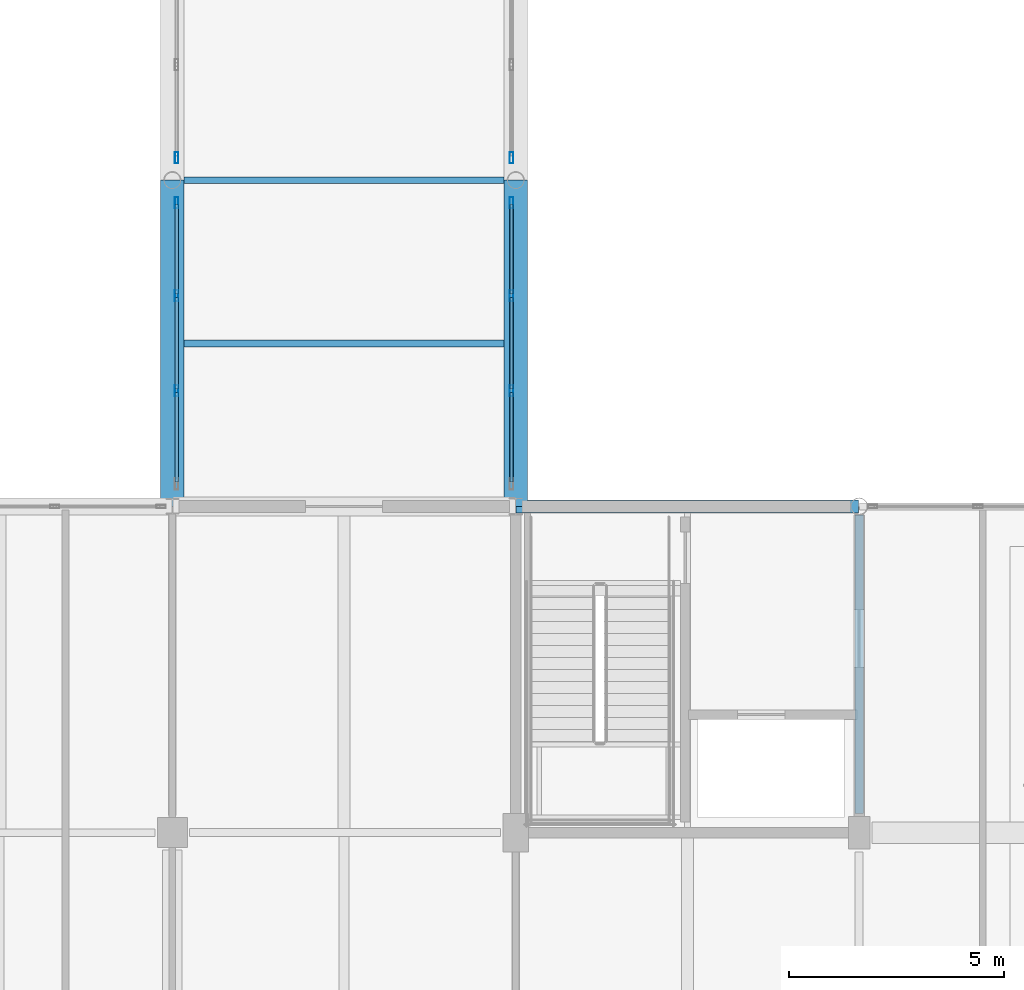
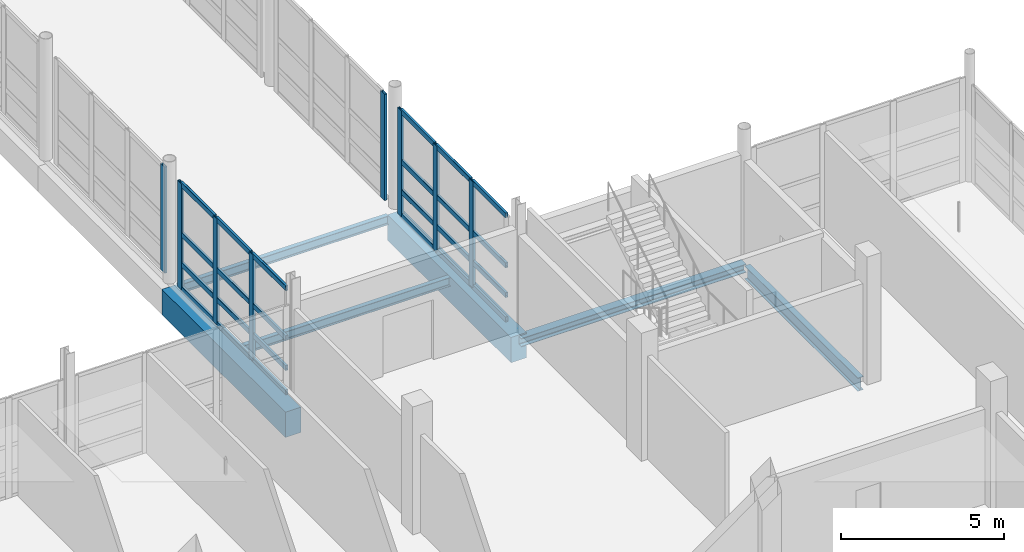
# One storey, part 57 of 141: 32 members, 6 beams, 4 elements without a shape of their own.
"""IFC4 building model written with IfcOpenShell, lengths in metres."""

from ifc_helpers import new_model, si_unit, direction, frame, origin, origin_2d, place, context, subcontext, project, spatial, rectangle, hollow_rectangle, i_section, extrude, material, material_profile, profile_set, type_object, element, aggregate, save


model = new_model("IFC4")

# Units and contexts
model_context = context("Model", 3, precision=1e-05, world=origin(), true_north=direction((0.0, 1.0)))
body_context = subcontext(model_context, "Body", "Model", "MODEL_VIEW")
ifc_project = project(units=[si_unit("LENGTHUNIT", "METRE"), si_unit("AREAUNIT", "SQUARE_METRE"), si_unit("VOLUMEUNIT", "CUBIC_METRE"), si_unit("PLANEANGLEUNIT", "RADIAN"), si_unit("MASSUNIT", "GRAM", prefix="KILO")], contexts=[model_context])

# Site, building, storey
site_placement = place(None, origin())
site = spatial("IfcSite", under=ifc_project, at=site_placement, CompositionType="ELEMENT")
building_placement = place(site_placement, origin())
building = spatial("IfcBuilding", under=site, at=building_placement, Name="Khelvaren Railside Concert Hall", CompositionType="ELEMENT")
storey_placement = place(building_placement, frame((0.0, 0.0, 10.199951171875)))
storey = spatial("IfcBuildingStorey", under=building, at=storey_placement, Name="L02", CompositionType="ELEMENT", Elevation=10.199951171875)

# Beam
ifc_material_1 = material(Name="Steel S355", Category="steel")
ifc_material_profile_1 = material_profile(ifc_material_1, i_section(OverallWidth=0.199951171875, OverallDepth=0.5, WebThickness=0.01025390625, FlangeThickness=0.01611328125, FilletRadius=0.02099609375, at=origin_2d()), Name="IPE 500")
ifc_profile_set_1 = profile_set([ifc_material_profile_1], Name="Steel S355")
beam_type_1 = type_object("IfcBeamType", Name="BM62", PredefinedType="BEAM", material=ifc_profile_set_1)
beam_1_placement = place(storey_placement, frame((176.0, 30.85009765625, -0.5400390625), z_axis=(0.0, 1.0, 0.0), x_axis=(-1.0, 0.0, 0.0)))
element("IfcBeam", 1, at=beam_1_placement, inside=storey, type_object=beam_type_1, Name="V2 L02 Beam Y5.5", PredefinedType="BEAM", context=body_context, shape_type="SweptSolid", body=[
    extrude(i_section(OverallWidth=0.199951171875, OverallDepth=0.5, WebThickness=0.01025390625, FlangeThickness=0.01611328125, FilletRadius=0.02099609375, at=origin_2d()), origin(), (0.0, 0.0, 1.0), 6.954833984375),
])

# Curtain wall, members
ifc_material_2 = material(Name="Acoustic laminated crystal facade glass", Category="glass")
curtain_wall_type = type_object("IfcCurtainWallType", Name="CW78", PredefinedType="USERDEFINED", material=ifc_material_2)
curtain_wall_1_placement = place(storey_placement, origin())
curtain_wall_1 = element("IfcCurtainWall", 2, at=curtain_wall_1_placement, inside=storey, type_object=curtain_wall_type, Name="Unitised Curtain Wall CW-LB4-L02-W1", ObjectType="UNITISED CURTAIN WALL", PredefinedType="USERDEFINED")
ifc_material_3 = material(Name="Anodised architectural aluminium 6063-T6", Category="aluminium")
ifc_material_profile_2 = material_profile(ifc_material_3, hollow_rectangle(XDim=0.0849609375, YDim=0.260009765625, WallThickness=0.0048828125, InnerFilletRadius=0.0029296875, OuterFilletRadius=0.0048828125, at=origin_2d()), Name="CWM 85x260x5")
ifc_profile_set_2 = profile_set([ifc_material_profile_2], Name="Anodised architectural aluminium 6063-T6")
member_type_1 = type_object("IfcMemberType", Name="CWM40", PredefinedType="MULLION", material=ifc_profile_set_2)
member_1_placement = place(storey_placement, frame((160.10009765625, 40.693359375, 0.0), z_axis=(0.0, 0.0, 1.0), x_axis=(-1.0, 0.0, 0.0)))
member_1 = element("IfcMember", 3, at=member_1_placement, type_object=member_type_1, Name="CW78 mullion 2", PredefinedType="MULLION", context=body_context, shape_type="SweptSolid", body=[
    extrude(hollow_rectangle(XDim=0.0849609375, YDim=0.260009765625, WallThickness=0.0048828125, InnerFilletRadius=0.0029296875, OuterFilletRadius=0.0048828125, at=origin_2d()), origin(), (0.0, 0.0, 1.0), 3.97998046875),
])
member_2_placement = place(storey_placement, frame((160.10009765625, 42.90673828125, 0.0), z_axis=(0.0, 0.0, 1.0), x_axis=(-1.0, 0.0, 0.0)))
member_2 = element("IfcMember", 4, at=member_2_placement, type_object=member_type_1, Name="CW78 mullion 3", PredefinedType="MULLION", context=body_context, shape_type="SweptSolid", body=[
    extrude(hollow_rectangle(XDim=0.0849609375, YDim=0.260009765625, WallThickness=0.0048828125, InnerFilletRadius=0.0029296875, OuterFilletRadius=0.0048828125, at=origin_2d()), origin(), (0.0, 0.0, 1.0), 3.97998046875),
])
member_3_placement = place(storey_placement, frame((160.10009765625, 45.077392578125, 0.0), z_axis=(0.0, 0.0, 1.0), x_axis=(-1.0, 0.0, 0.0)))
member_3 = element("IfcMember", 5, at=member_3_placement, type_object=member_type_1, Name="CW78 mullion 4", PredefinedType="MULLION", context=body_context, shape_type="SweptSolid", body=[
    extrude(hollow_rectangle(XDim=0.0849609375, YDim=0.260009765625, WallThickness=0.0048828125, InnerFilletRadius=0.0029296875, OuterFilletRadius=0.0048828125, at=origin_2d()), origin(), (0.0, 0.0, 1.0), 3.97998046875),
])

curtain_wall_2_placement = place(storey_placement, origin())
curtain_wall_2 = element("IfcCurtainWall", 6, at=curtain_wall_2_placement, inside=storey, type_object=curtain_wall_type, Name="Unitised Curtain Wall CW-LB4-L02-E1", ObjectType="UNITISED CURTAIN WALL", PredefinedType="USERDEFINED")
member_4_placement = place(storey_placement, frame((167.89990234375, 45.077392578125, 0.0), z_axis=(0.0, 0.0, 1.0), x_axis=(1.0, 0.0, 0.0)))
member_4 = element("IfcMember", 7, at=member_4_placement, type_object=member_type_1, Name="CW78 mullion 1", PredefinedType="MULLION", context=body_context, shape_type="SweptSolid", body=[
    extrude(hollow_rectangle(XDim=0.0849609375, YDim=0.260009765625, WallThickness=0.0048828125, InnerFilletRadius=0.0029296875, OuterFilletRadius=0.0048828125, at=origin_2d()), origin(), (0.0, 0.0, 1.0), 3.97998046875),
])
member_5_placement = place(storey_placement, frame((167.89990234375, 42.90673828125, 0.0), z_axis=(0.0, 0.0, 1.0), x_axis=(1.0, 0.0, 0.0)))
member_5 = element("IfcMember", 8, at=member_5_placement, type_object=member_type_1, Name="CW78 mullion 2", PredefinedType="MULLION", context=body_context, shape_type="SweptSolid", body=[
    extrude(hollow_rectangle(XDim=0.0849609375, YDim=0.260009765625, WallThickness=0.0048828125, InnerFilletRadius=0.0029296875, OuterFilletRadius=0.0048828125, at=origin_2d()), origin(), (0.0, 0.0, 1.0), 3.97998046875),
])
member_6_placement = place(storey_placement, frame((167.89990234375, 40.693359375, 0.0), z_axis=(0.0, 0.0, 1.0), x_axis=(1.0, 0.0, 0.0)))
member_6 = element("IfcMember", 9, at=member_6_placement, type_object=member_type_1, Name="CW78 mullion 3", PredefinedType="MULLION", context=body_context, shape_type="SweptSolid", body=[
    extrude(hollow_rectangle(XDim=0.0849609375, YDim=0.260009765625, WallThickness=0.0048828125, InnerFilletRadius=0.0029296875, OuterFilletRadius=0.0048828125, at=origin_2d()), origin(), (0.0, 0.0, 1.0), 3.97998046875),
])

# Curtain wall, member
curtain_wall_3_placement = place(storey_placement, origin())
curtain_wall_3 = element("IfcCurtainWall", 10, at=curtain_wall_3_placement, inside=storey, type_object=curtain_wall_type, Name="Unitised Curtain Wall CW-LB4-L02-W2", ObjectType="UNITISED CURTAIN WALL", PredefinedType="USERDEFINED")
member_7_placement = place(storey_placement, frame((160.10009765625, 46.12255859375, 0.0), z_axis=(0.0, 0.0, 1.0), x_axis=(-1.0, 0.0, 0.0)))
member_7 = element("IfcMember", 11, at=member_7_placement, type_object=member_type_1, Name="CW78 mullion 1", PredefinedType="MULLION", context=body_context, shape_type="SweptSolid", body=[
    extrude(hollow_rectangle(XDim=0.0849609375, YDim=0.260009765625, WallThickness=0.0048828125, InnerFilletRadius=0.0029296875, OuterFilletRadius=0.0048828125, at=origin_2d()), origin(), (0.0, 0.0, 1.0), 3.97998046875),
])
aggregate(curtain_wall_3, [member_7])

curtain_wall_4_placement = place(storey_placement, origin())
curtain_wall_4 = element("IfcCurtainWall", 12, at=curtain_wall_4_placement, inside=storey, type_object=curtain_wall_type, Name="Unitised Curtain Wall CW-LB4-L02-E2", ObjectType="UNITISED CURTAIN WALL", PredefinedType="USERDEFINED")
member_8_placement = place(storey_placement, frame((167.89990234375, 46.12255859375, 0.0), z_axis=(0.0, 0.0, 1.0), x_axis=(1.0, 0.0, 0.0)))
member_8 = element("IfcMember", 13, at=member_8_placement, type_object=member_type_1, Name="CW78 mullion 4", PredefinedType="MULLION", context=body_context, shape_type="SweptSolid", body=[
    extrude(hollow_rectangle(XDim=0.0849609375, YDim=0.260009765625, WallThickness=0.0048828125, InnerFilletRadius=0.0029296875, OuterFilletRadius=0.0048828125, at=origin_2d()), origin(), (0.0, 0.0, 1.0), 3.97998046875),
])
aggregate(curtain_wall_4, [member_8])

# Member
ifc_material_profile_3 = material_profile(ifc_material_3, hollow_rectangle(XDim=0.0849609375, YDim=0.18994140625, WallThickness=0.0048828125, InnerFilletRadius=0.0029296875, OuterFilletRadius=0.0048828125, at=origin_2d()), Name="CWT 85x190x5")
ifc_profile_set_3 = profile_set([ifc_material_profile_3], Name="Anodised architectural aluminium 6063-T6")
member_type_2 = type_object("IfcMemberType", Name="CWT31", PredefinedType="USERDEFINED", material=ifc_profile_set_3)
member_9_placement = place(storey_placement, frame((160.10009765625, 38.56494140625, 0.04248046875), z_axis=(0.0, 1.0, 0.0), x_axis=(-1.0, 0.0, 0.0)))
member_9 = element("IfcMember", 14, at=member_9_placement, type_object=member_type_2, Name="CW78 transom 1.1", ObjectType="TRANSOM", PredefinedType="USERDEFINED", context=body_context, shape_type="SweptSolid", body=[
    extrude(hollow_rectangle(XDim=0.0849609375, YDim=0.18994140625, WallThickness=0.0048828125, InnerFilletRadius=0.0029296875, OuterFilletRadius=0.0048828125, at=origin_2d()), origin(), (0.0, 0.0, 1.0), 2.0859375),
])

member_10_placement = place(storey_placement, frame((160.10009765625, 38.56494140625, 0.949951171875), z_axis=(0.0, 1.0, 0.0), x_axis=(-1.0, 0.0, 0.0)))
member_10 = element("IfcMember", 15, at=member_10_placement, type_object=member_type_2, Name="CW78 transom 1.2", ObjectType="TRANSOM", PredefinedType="USERDEFINED", context=body_context, shape_type="SweptSolid", body=[
    extrude(hollow_rectangle(XDim=0.0849609375, YDim=0.18994140625, WallThickness=0.0048828125, InnerFilletRadius=0.0029296875, OuterFilletRadius=0.0048828125, at=origin_2d()), origin(), (0.0, 0.0, 1.0), 2.0859375),
])

member_11_placement = place(storey_placement, frame((160.10009765625, 38.56494140625, 2.069580078125), z_axis=(0.0, 1.0, 0.0), x_axis=(-1.0, 0.0, 0.0)))
member_11 = element("IfcMember", 16, at=member_11_placement, type_object=member_type_2, Name="CW78 transom 1.3", ObjectType="TRANSOM", PredefinedType="USERDEFINED", context=body_context, shape_type="SweptSolid", body=[
    extrude(hollow_rectangle(XDim=0.0849609375, YDim=0.18994140625, WallThickness=0.0048828125, InnerFilletRadius=0.0029296875, OuterFilletRadius=0.0048828125, at=origin_2d()), origin(), (0.0, 0.0, 1.0), 2.0859375),
])

member_12_placement = place(storey_placement, frame((160.10009765625, 38.56494140625, 3.9375), z_axis=(0.0, 1.0, 0.0), x_axis=(-1.0, 0.0, 0.0)))
member_12 = element("IfcMember", 17, at=member_12_placement, type_object=member_type_2, Name="CW78 transom 1.4", ObjectType="TRANSOM", PredefinedType="USERDEFINED", context=body_context, shape_type="SweptSolid", body=[
    extrude(hollow_rectangle(XDim=0.0849609375, YDim=0.18994140625, WallThickness=0.0048828125, InnerFilletRadius=0.0029296875, OuterFilletRadius=0.0048828125, at=origin_2d()), origin(), (0.0, 0.0, 1.0), 2.0859375),
])

member_13_placement = place(storey_placement, frame((160.10009765625, 40.73583984375, 0.04248046875), z_axis=(0.0, 1.0, 0.0), x_axis=(-1.0, 0.0, 0.0)))
member_13 = element("IfcMember", 18, at=member_13_placement, type_object=member_type_2, Name="CW78 transom 2.1", ObjectType="TRANSOM", PredefinedType="USERDEFINED", context=body_context, shape_type="SweptSolid", body=[
    extrude(hollow_rectangle(XDim=0.0849609375, YDim=0.18994140625, WallThickness=0.0048828125, InnerFilletRadius=0.0029296875, OuterFilletRadius=0.0048828125, at=origin_2d()), origin(), (0.0, 0.0, 1.0), 2.12841796875),
])

member_14_placement = place(storey_placement, frame((160.10009765625, 40.73583984375, 0.949951171875), z_axis=(0.0, 1.0, 0.0), x_axis=(-1.0, 0.0, 0.0)))
member_14 = element("IfcMember", 19, at=member_14_placement, type_object=member_type_2, Name="CW78 transom 2.2", ObjectType="TRANSOM", PredefinedType="USERDEFINED", context=body_context, shape_type="SweptSolid", body=[
    extrude(hollow_rectangle(XDim=0.0849609375, YDim=0.18994140625, WallThickness=0.0048828125, InnerFilletRadius=0.0029296875, OuterFilletRadius=0.0048828125, at=origin_2d()), origin(), (0.0, 0.0, 1.0), 2.12841796875),
])

member_15_placement = place(storey_placement, frame((160.10009765625, 40.73583984375, 2.069580078125), z_axis=(0.0, 1.0, 0.0), x_axis=(-1.0, 0.0, 0.0)))
member_15 = element("IfcMember", 20, at=member_15_placement, type_object=member_type_2, Name="CW78 transom 2.3", ObjectType="TRANSOM", PredefinedType="USERDEFINED", context=body_context, shape_type="SweptSolid", body=[
    extrude(hollow_rectangle(XDim=0.0849609375, YDim=0.18994140625, WallThickness=0.0048828125, InnerFilletRadius=0.0029296875, OuterFilletRadius=0.0048828125, at=origin_2d()), origin(), (0.0, 0.0, 1.0), 2.12841796875),
])

member_16_placement = place(storey_placement, frame((160.10009765625, 40.73583984375, 3.9375), z_axis=(0.0, 1.0, 0.0), x_axis=(-1.0, 0.0, 0.0)))
member_16 = element("IfcMember", 21, at=member_16_placement, type_object=member_type_2, Name="CW78 transom 2.4", ObjectType="TRANSOM", PredefinedType="USERDEFINED", context=body_context, shape_type="SweptSolid", body=[
    extrude(hollow_rectangle(XDim=0.0849609375, YDim=0.18994140625, WallThickness=0.0048828125, InnerFilletRadius=0.0029296875, OuterFilletRadius=0.0048828125, at=origin_2d()), origin(), (0.0, 0.0, 1.0), 2.12841796875),
])

member_17_placement = place(storey_placement, frame((160.10009765625, 42.94921875, 0.04248046875), z_axis=(0.0, 1.0, 0.0), x_axis=(-1.0, 0.0, 0.0)))
member_17 = element("IfcMember", 22, at=member_17_placement, type_object=member_type_2, Name="CW78 transom 3.1", ObjectType="TRANSOM", PredefinedType="USERDEFINED", context=body_context, shape_type="SweptSolid", body=[
    extrude(hollow_rectangle(XDim=0.0849609375, YDim=0.18994140625, WallThickness=0.0048828125, InnerFilletRadius=0.0029296875, OuterFilletRadius=0.0048828125, at=origin_2d()), origin(), (0.0, 0.0, 1.0), 2.085693359375),
])

member_18_placement = place(storey_placement, frame((160.10009765625, 42.94921875, 0.949951171875), z_axis=(0.0, 1.0, 0.0), x_axis=(-1.0, 0.0, 0.0)))
member_18 = element("IfcMember", 23, at=member_18_placement, type_object=member_type_2, Name="CW78 transom 3.2", ObjectType="TRANSOM", PredefinedType="USERDEFINED", context=body_context, shape_type="SweptSolid", body=[
    extrude(hollow_rectangle(XDim=0.0849609375, YDim=0.18994140625, WallThickness=0.0048828125, InnerFilletRadius=0.0029296875, OuterFilletRadius=0.0048828125, at=origin_2d()), origin(), (0.0, 0.0, 1.0), 2.085693359375),
])

member_19_placement = place(storey_placement, frame((160.10009765625, 42.94921875, 2.069580078125), z_axis=(0.0, 1.0, 0.0), x_axis=(-1.0, 0.0, 0.0)))
member_19 = element("IfcMember", 24, at=member_19_placement, type_object=member_type_2, Name="CW78 transom 3.3", ObjectType="TRANSOM", PredefinedType="USERDEFINED", context=body_context, shape_type="SweptSolid", body=[
    extrude(hollow_rectangle(XDim=0.0849609375, YDim=0.18994140625, WallThickness=0.0048828125, InnerFilletRadius=0.0029296875, OuterFilletRadius=0.0048828125, at=origin_2d()), origin(), (0.0, 0.0, 1.0), 2.085693359375),
])

member_20_placement = place(storey_placement, frame((160.10009765625, 42.94921875, 3.9375), z_axis=(0.0, 1.0, 0.0), x_axis=(-1.0, 0.0, 0.0)))
member_20 = element("IfcMember", 25, at=member_20_placement, type_object=member_type_2, Name="CW78 transom 3.4", ObjectType="TRANSOM", PredefinedType="USERDEFINED", context=body_context, shape_type="SweptSolid", body=[
    extrude(hollow_rectangle(XDim=0.0849609375, YDim=0.18994140625, WallThickness=0.0048828125, InnerFilletRadius=0.0029296875, OuterFilletRadius=0.0048828125, at=origin_2d()), origin(), (0.0, 0.0, 1.0), 2.085693359375),
])

aggregate(curtain_wall_1, [member_1, member_2, member_3, member_9, member_10, member_11, member_12, member_13, member_14, member_15, member_16, member_17, member_18, member_19, member_20])

member_21_placement = place(storey_placement, frame((167.89990234375, 45.034912109375, 0.04248046875), z_axis=(0.0, -1.0, 0.0), x_axis=(1.0, 0.0, 0.0)))
member_21 = element("IfcMember", 26, at=member_21_placement, type_object=member_type_2, Name="CW78 transom 1.1", ObjectType="TRANSOM", PredefinedType="USERDEFINED", context=body_context, shape_type="SweptSolid", body=[
    extrude(hollow_rectangle(XDim=0.0849609375, YDim=0.18994140625, WallThickness=0.0048828125, InnerFilletRadius=0.0029296875, OuterFilletRadius=0.0048828125, at=origin_2d()), origin(), (0.0, 0.0, 1.0), 2.085693359375),
])

member_22_placement = place(storey_placement, frame((167.89990234375, 45.034912109375, 0.949951171875), z_axis=(0.0, -1.0, 0.0), x_axis=(1.0, 0.0, 0.0)))
member_22 = element("IfcMember", 27, at=member_22_placement, type_object=member_type_2, Name="CW78 transom 1.2", ObjectType="TRANSOM", PredefinedType="USERDEFINED", context=body_context, shape_type="SweptSolid", body=[
    extrude(hollow_rectangle(XDim=0.0849609375, YDim=0.18994140625, WallThickness=0.0048828125, InnerFilletRadius=0.0029296875, OuterFilletRadius=0.0048828125, at=origin_2d()), origin(), (0.0, 0.0, 1.0), 2.085693359375),
])

member_23_placement = place(storey_placement, frame((167.89990234375, 45.034912109375, 2.069580078125), z_axis=(0.0, -1.0, 0.0), x_axis=(1.0, 0.0, 0.0)))
member_23 = element("IfcMember", 28, at=member_23_placement, type_object=member_type_2, Name="CW78 transom 1.3", ObjectType="TRANSOM", PredefinedType="USERDEFINED", context=body_context, shape_type="SweptSolid", body=[
    extrude(hollow_rectangle(XDim=0.0849609375, YDim=0.18994140625, WallThickness=0.0048828125, InnerFilletRadius=0.0029296875, OuterFilletRadius=0.0048828125, at=origin_2d()), origin(), (0.0, 0.0, 1.0), 2.085693359375),
])

member_24_placement = place(storey_placement, frame((167.89990234375, 45.034912109375, 3.9375), z_axis=(0.0, -1.0, 0.0), x_axis=(1.0, 0.0, 0.0)))
member_24 = element("IfcMember", 29, at=member_24_placement, type_object=member_type_2, Name="CW78 transom 1.4", ObjectType="TRANSOM", PredefinedType="USERDEFINED", context=body_context, shape_type="SweptSolid", body=[
    extrude(hollow_rectangle(XDim=0.0849609375, YDim=0.18994140625, WallThickness=0.0048828125, InnerFilletRadius=0.0029296875, OuterFilletRadius=0.0048828125, at=origin_2d()), origin(), (0.0, 0.0, 1.0), 2.085693359375),
])

member_25_placement = place(storey_placement, frame((167.89990234375, 42.8642578125, 0.04248046875), z_axis=(0.0, -1.0, 0.0), x_axis=(1.0, 0.0, 0.0)))
member_25 = element("IfcMember", 30, at=member_25_placement, type_object=member_type_2, Name="CW78 transom 2.1", ObjectType="TRANSOM", PredefinedType="USERDEFINED", context=body_context, shape_type="SweptSolid", body=[
    extrude(hollow_rectangle(XDim=0.0849609375, YDim=0.18994140625, WallThickness=0.0048828125, InnerFilletRadius=0.0029296875, OuterFilletRadius=0.0048828125, at=origin_2d()), origin(), (0.0, 0.0, 1.0), 2.12841796875),
])

member_26_placement = place(storey_placement, frame((167.89990234375, 42.8642578125, 0.949951171875), z_axis=(0.0, -1.0, 0.0), x_axis=(1.0, 0.0, 0.0)))
member_26 = element("IfcMember", 31, at=member_26_placement, type_object=member_type_2, Name="CW78 transom 2.2", ObjectType="TRANSOM", PredefinedType="USERDEFINED", context=body_context, shape_type="SweptSolid", body=[
    extrude(hollow_rectangle(XDim=0.0849609375, YDim=0.18994140625, WallThickness=0.0048828125, InnerFilletRadius=0.0029296875, OuterFilletRadius=0.0048828125, at=origin_2d()), origin(), (0.0, 0.0, 1.0), 2.12841796875),
])

member_27_placement = place(storey_placement, frame((167.89990234375, 42.8642578125, 2.069580078125), z_axis=(0.0, -1.0, 0.0), x_axis=(1.0, 0.0, 0.0)))
member_27 = element("IfcMember", 32, at=member_27_placement, type_object=member_type_2, Name="CW78 transom 2.3", ObjectType="TRANSOM", PredefinedType="USERDEFINED", context=body_context, shape_type="SweptSolid", body=[
    extrude(hollow_rectangle(XDim=0.0849609375, YDim=0.18994140625, WallThickness=0.0048828125, InnerFilletRadius=0.0029296875, OuterFilletRadius=0.0048828125, at=origin_2d()), origin(), (0.0, 0.0, 1.0), 2.12841796875),
])

member_28_placement = place(storey_placement, frame((167.89990234375, 42.8642578125, 3.9375), z_axis=(0.0, -1.0, 0.0), x_axis=(1.0, 0.0, 0.0)))
member_28 = element("IfcMember", 33, at=member_28_placement, type_object=member_type_2, Name="CW78 transom 2.4", ObjectType="TRANSOM", PredefinedType="USERDEFINED", context=body_context, shape_type="SweptSolid", body=[
    extrude(hollow_rectangle(XDim=0.0849609375, YDim=0.18994140625, WallThickness=0.0048828125, InnerFilletRadius=0.0029296875, OuterFilletRadius=0.0048828125, at=origin_2d()), origin(), (0.0, 0.0, 1.0), 2.12841796875),
])

member_29_placement = place(storey_placement, frame((167.89990234375, 40.65087890625, 0.04248046875), z_axis=(0.0, -1.0, 0.0), x_axis=(1.0, 0.0, 0.0)))
member_29 = element("IfcMember", 34, at=member_29_placement, type_object=member_type_2, Name="CW78 transom 3.1", ObjectType="TRANSOM", PredefinedType="USERDEFINED", context=body_context, shape_type="SweptSolid", body=[
    extrude(hollow_rectangle(XDim=0.0849609375, YDim=0.18994140625, WallThickness=0.0048828125, InnerFilletRadius=0.0029296875, OuterFilletRadius=0.0048828125, at=origin_2d()), origin(), (0.0, 0.0, 1.0), 2.0859375),
])

member_30_placement = place(storey_placement, frame((167.89990234375, 40.65087890625, 0.949951171875), z_axis=(0.0, -1.0, 0.0), x_axis=(1.0, 0.0, 0.0)))
member_30 = element("IfcMember", 35, at=member_30_placement, type_object=member_type_2, Name="CW78 transom 3.2", ObjectType="TRANSOM", PredefinedType="USERDEFINED", context=body_context, shape_type="SweptSolid", body=[
    extrude(hollow_rectangle(XDim=0.0849609375, YDim=0.18994140625, WallThickness=0.0048828125, InnerFilletRadius=0.0029296875, OuterFilletRadius=0.0048828125, at=origin_2d()), origin(), (0.0, 0.0, 1.0), 2.0859375),
])

member_31_placement = place(storey_placement, frame((167.89990234375, 40.65087890625, 2.069580078125), z_axis=(0.0, -1.0, 0.0), x_axis=(1.0, 0.0, 0.0)))
member_31 = element("IfcMember", 36, at=member_31_placement, type_object=member_type_2, Name="CW78 transom 3.3", ObjectType="TRANSOM", PredefinedType="USERDEFINED", context=body_context, shape_type="SweptSolid", body=[
    extrude(hollow_rectangle(XDim=0.0849609375, YDim=0.18994140625, WallThickness=0.0048828125, InnerFilletRadius=0.0029296875, OuterFilletRadius=0.0048828125, at=origin_2d()), origin(), (0.0, 0.0, 1.0), 2.0859375),
])

member_32_placement = place(storey_placement, frame((167.89990234375, 40.65087890625, 3.9375), z_axis=(0.0, -1.0, 0.0), x_axis=(1.0, 0.0, 0.0)))
member_32 = element("IfcMember", 37, at=member_32_placement, type_object=member_type_2, Name="CW78 transom 3.4", ObjectType="TRANSOM", PredefinedType="USERDEFINED", context=body_context, shape_type="SweptSolid", body=[
    extrude(hollow_rectangle(XDim=0.0849609375, YDim=0.18994140625, WallThickness=0.0048828125, InnerFilletRadius=0.0029296875, OuterFilletRadius=0.0048828125, at=origin_2d()), origin(), (0.0, 0.0, 1.0), 2.0859375),
])

aggregate(curtain_wall_2, [member_4, member_5, member_6, member_21, member_22, member_23, member_24, member_25, member_26, member_27, member_28, member_29, member_30, member_31, member_32])

# Beams
ifc_material_4 = material(Name="Concrete C40/50", Category="concrete")
ifc_material_profile_4 = material_profile(ifc_material_4, rectangle(XDim=0.550048828125, YDim=0.949951171875, at=origin_2d()), Name="RCB 550x950")
ifc_profile_set_4 = profile_set([ifc_material_profile_4], Name="Concrete C40/50")
beam_type_2 = type_object("IfcBeamType", Name="GR75", PredefinedType="T_BEAM", material=ifc_profile_set_4)
for number, where, z_axis, x_axis, name in (
    (38, (160.0, 38.0, -0.71484375), (0.0, 1.0, 0.0), (-1.0, 0.0, 0.0), "East Backstage Artist Link Bridge L02 Bridge Girder 1.1"),
    (39, (168.0, 38.0, -0.71484375), (0.0, 1.0, 0.0), (-1.0, 0.0, 0.0), "East Backstage Artist Link Bridge L02 Bridge Girder 2.1"),
):
    element("IfcBeam", number, at=place(storey_placement, frame(where, z_axis=z_axis, x_axis=x_axis)), inside=storey, type_object=beam_type_2, Name=name, PredefinedType="T_BEAM", context=body_context, shape_type="SweptSolid", body=[
        extrude(rectangle(XDim=0.550048828125, YDim=0.949951171875, at=origin_2d()), origin(), (0.0, 0.0, 1.0), 7.60009765625),
    ])
ifc_material_profile_5 = material_profile(ifc_material_1, i_section(OverallWidth=0.159912109375, OverallDepth=0.330078125, WebThickness=0.007568359375, FlangeThickness=0.011474609375, FilletRadius=0.01806640625, at=origin_2d()), Name="IPE 330")
ifc_profile_set_5 = profile_set([ifc_material_profile_5], Name="Steel S355")
beam_type_3 = type_object("IfcBeamType", Name="JS65", PredefinedType="JOIST", material=ifc_profile_set_5)
for number, where, z_axis, x_axis, name in (
    (40, (160.27490234375, 45.60009765625, -0.405029296875), (1.0, 0.0, 0.0), (0.0, 1.0, 0.0), "East Backstage Artist Link Bridge L02 Bridge Cross Joist 1"),
    (41, (160.27490234375, 41.800048828125, -0.405029296875), (1.0, 0.0, 0.0), (0.0, 1.0, 0.0), "East Backstage Artist Link Bridge L02 Bridge Cross Joist 6"),
):
    element("IfcBeam", number, at=place(storey_placement, frame(where, z_axis=z_axis, x_axis=x_axis)), inside=storey, type_object=beam_type_3, Name=name, PredefinedType="JOIST", context=body_context, shape_type="SweptSolid", body=[
        extrude(i_section(OverallWidth=0.159912109375, OverallDepth=0.330078125, WebThickness=0.007568359375, FlangeThickness=0.011474609375, FilletRadius=0.01806640625, at=origin_2d()), origin(), (0.0, 0.0, 1.0), 7.4501953125),
    ])
ifc_material_profile_6 = material_profile(ifc_material_1, i_section(OverallWidth=0.300048828125, OverallDepth=0.31005859375, WebThickness=0.009033203125, FlangeThickness=0.015380859375, FilletRadius=0.027099609375, at=origin_2d()), Name="HEA 320")
ifc_profile_set_6 = profile_set([ifc_material_profile_6], Name="Steel S355")
beam_type_4 = type_object("IfcBeamType", Name="SP66", PredefinedType="SPANDREL", material=ifc_profile_set_6)
beam_2_placement = place(storey_placement, frame((168.010009765625, 38.0, -0.445068359375), z_axis=(1.0, 0.0, 0.0), x_axis=(0.0, 1.0, 0.0)))
element("IfcBeam", 42, at=beam_2_placement, inside=storey, type_object=beam_type_4, Name="V2 L02 Spandrel X6.4", PredefinedType="SPANDREL", context=body_context, shape_type="SweptSolid", body=[
    extrude(i_section(OverallWidth=0.300048828125, OverallDepth=0.31005859375, WebThickness=0.009033203125, FlangeThickness=0.015380859375, FilletRadius=0.027099609375, at=origin_2d()), origin(), (0.0, 0.0, 1.0), 7.97998046875),
])

save(model, "model.ifc")
